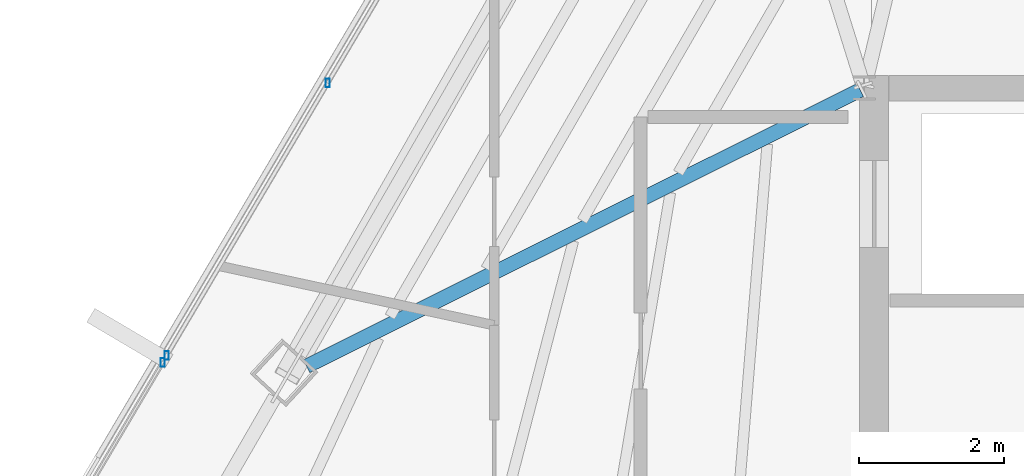
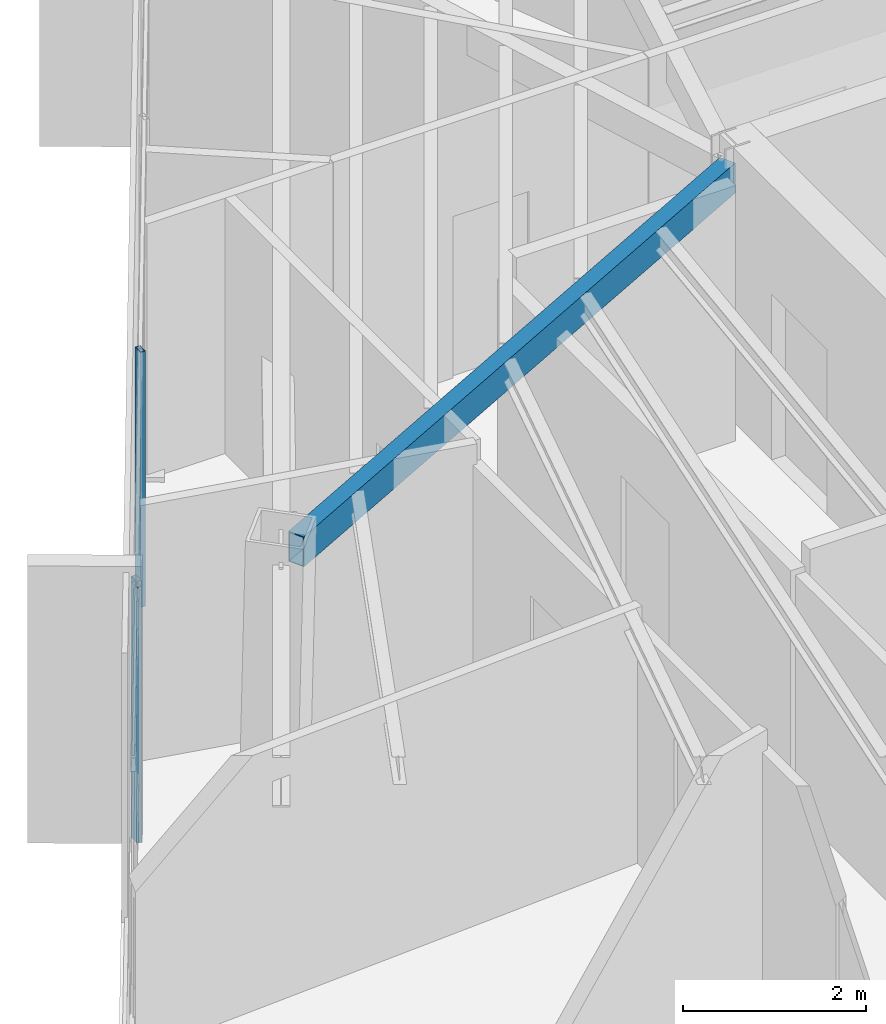
# One storey, part 15 of 45: 3 members, 1 beam, 2 elements without a shape of their own.
"""IFC4 building model written with IfcOpenShell, lengths in metres."""

from ifc_helpers import new_model, si_unit, direction, frame, origin, origin_2d, place, context, subcontext, project, spatial, hollow_rectangle, extrude, source, transform, mapped, material, material_profile, profile_set, type_object, type_shapes, element, aggregate, save


model = new_model("IFC4")

# Units and contexts
model_context = context("Model", 3, precision=1e-05, world=origin(), true_north=direction((0.0, 1.0)))
body_context = subcontext(model_context, "Body", "Model", "MODEL_VIEW")
ifc_project = project(units=[si_unit("LENGTHUNIT", "METRE"), si_unit("AREAUNIT", "SQUARE_METRE"), si_unit("VOLUMEUNIT", "CUBIC_METRE"), si_unit("PLANEANGLEUNIT", "RADIAN"), si_unit("MASSUNIT", "GRAM", prefix="KILO")], contexts=[model_context])

# Site, building, storey
site_placement = place(None, origin())
site = spatial("IfcSite", under=ifc_project, at=site_placement, CompositionType="ELEMENT")
building_placement = place(site_placement, origin())
building = spatial("IfcBuilding", under=site, at=building_placement, Name="Caelisora Broadcast Tower", CompositionType="ELEMENT")
storey_placement = place(building_placement, frame((0.0, 0.0, 266.35009765625)))
storey = spatial("IfcBuildingStorey", under=building, at=storey_placement, Name="L70", CompositionType="ELEMENT", Elevation=266.35009765625)

# Beam
ifc_material_1 = material(Name="Steel Grade 350 (AS/NZS 1163 C350L0)", Category="steel")
ifc_material_profile_1 = material_profile(ifc_material_1, hollow_rectangle(XDim=0.199951171875, YDim=0.39990234375, WallThickness=0.012451171875, at=origin_2d()), Name="Steel Grade 350 (AS/NZS 1163 C350L0)")
ifc_profile_set_1 = profile_set([ifc_material_profile_1], Name="Steel Grade 350 (AS/NZS 1163 C350L0)")
beam_type = type_object("IfcBeamType", Name="PG07", PredefinedType="BEAM", material=ifc_profile_set_1)
shared_shape_1 = source(origin(), body_context, "Body", "SweptSolid", [
    extrude(hollow_rectangle(XDim=0.199951171875, YDim=0.39990234375, WallThickness=0.012451171875, at=origin_2d()), origin(), (0.0, 0.0, 1.0), 8.529052734375),
])
type_shapes(beam_type, [shared_shape_1])
beam_placement = place(storey_placement, frame((30.4462890625, 29.97314453125, 3.199951171875), z_axis=(-0.894844724793, -0.446377551531, 0.0), x_axis=(0.446377551531, -0.894844724793, 0.0)))
element("IfcBeam", 1, at=beam_placement, inside=storey, type_object=beam_type, Name="L70 beam PG07", PredefinedType="BEAM", context=body_context, shape_type="MappedRepresentation", body=[
    mapped(shared_shape_1, transform((0.0, 0.0, 0.0), scale=1.0)),
])

# Curtain wall, member
ifc_material_2 = material(Name="Unitised Aluminium and Low-E Glass Curtain Wall", Category="glass")
curtain_wall_type_1 = type_object("IfcCurtainWallType", Name="CW-Z5", PredefinedType="NOTDEFINED", material=ifc_material_2)
curtain_wall_1_placement = place(storey_placement, origin())
curtain_wall_1 = element("IfcCurtainWall", 2, at=curtain_wall_1_placement, inside=storey, type_object=curtain_wall_type_1, Name="L70 curtain wall CW-Z5", PredefinedType="NOTDEFINED")
ifc_material_3 = material(Name="Aluminium 6063-T6 Anodised Terracotta Bronze", Category="aluminium")
ifc_material_profile_2 = material_profile(ifc_material_3, hollow_rectangle(XDim=0.06005859375, YDim=0.1201171875, WallThickness=0.0029296875, at=origin_2d()), Name="Aluminium 6063-T6 Anodised Terracotta Bronze")
ifc_profile_set_2 = profile_set([ifc_material_profile_2], Name="Aluminium 6063-T6 Anodised Terracotta Bronze")
member_type = type_object("IfcMemberType", Name="CWM-04", PredefinedType="MULLION", material=ifc_profile_set_2)
shared_shape_2 = source(origin(), body_context, "Body", "SweptSolid", [
    extrude(hollow_rectangle(XDim=0.06005859375, YDim=0.1201171875, WallThickness=0.0029296875, at=origin_2d()), origin(), (0.0, 0.0, 1.0), 3.39990234375),
])
type_shapes(member_type, [shared_shape_2])
member_1_placement = place(storey_placement, frame((20.830078125, 26.217529296875, 0.0), z_axis=(0.0, 0.0, 1.0), x_axis=(1.0, 0.0, 0.0)))
member_1 = element("IfcMember", 3, at=member_1_placement, type_object=member_type, Name="L70-CW-B09 mullion #3", PredefinedType="MULLION", context=body_context, shape_type="MappedRepresentation", body=[
    mapped(shared_shape_2, transform((0.0, 0.0, 0.0), scale=1.0)),
])
aggregate(curtain_wall_1, [member_1])

# Curtain wall, members
ifc_material_4 = material(Name="Unitised Aluminium Insulated Shadow-Box Spandrel Curtain Wall", Category="aluminium")
curtain_wall_type_2 = type_object("IfcCurtainWallType", Name="CW-SP3", PredefinedType="NOTDEFINED", material=ifc_material_4)
curtain_wall_2_placement = place(storey_placement, origin())
curtain_wall_2 = element("IfcCurtainWall", 4, at=curtain_wall_2_placement, inside=storey, type_object=curtain_wall_type_2, Name="L70 curtain wall CW-SP3", PredefinedType="NOTDEFINED")
member_2_placement = place(storey_placement, frame((20.88623046875, 26.312255859375, 0.0), z_axis=(0.0, 0.0, 1.0), x_axis=(1.0, 0.0, 0.0)))
member_2 = element("IfcMember", 5, at=member_2_placement, type_object=member_type, Name="L70-CW-B10 mullion #0", PredefinedType="MULLION", context=body_context, shape_type="MappedRepresentation", body=[
    mapped(shared_shape_2, transform((0.0, 0.0, 0.0), scale=1.0)),
])
member_3_placement = place(storey_placement, frame((23.104736328125, 30.068603515625, 0.0), z_axis=(0.0, 0.0, 1.0), x_axis=(1.0, 0.0, 0.0)))
member_3 = element("IfcMember", 6, at=member_3_placement, type_object=member_type, Name="L70-CW-B10 mullion #1", PredefinedType="MULLION", context=body_context, shape_type="MappedRepresentation", body=[
    mapped(shared_shape_2, transform((0.0, 0.0, 0.0), scale=1.0)),
])
aggregate(curtain_wall_2, [member_2, member_3])

save(model, "model.ifc")
